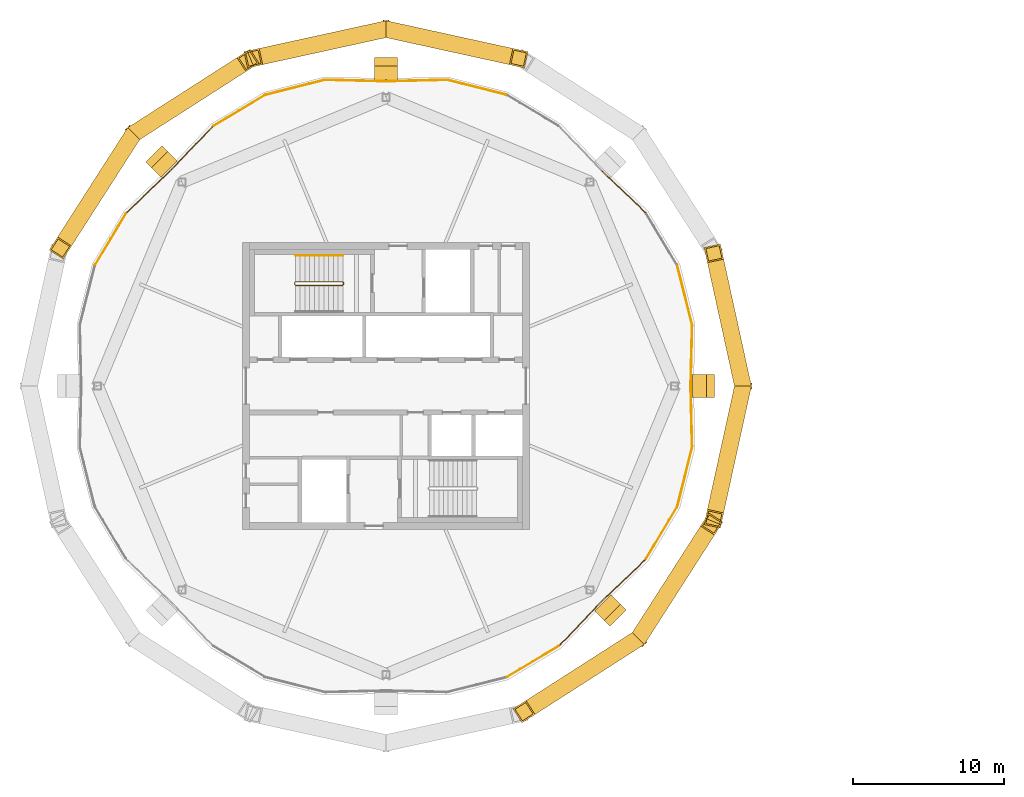
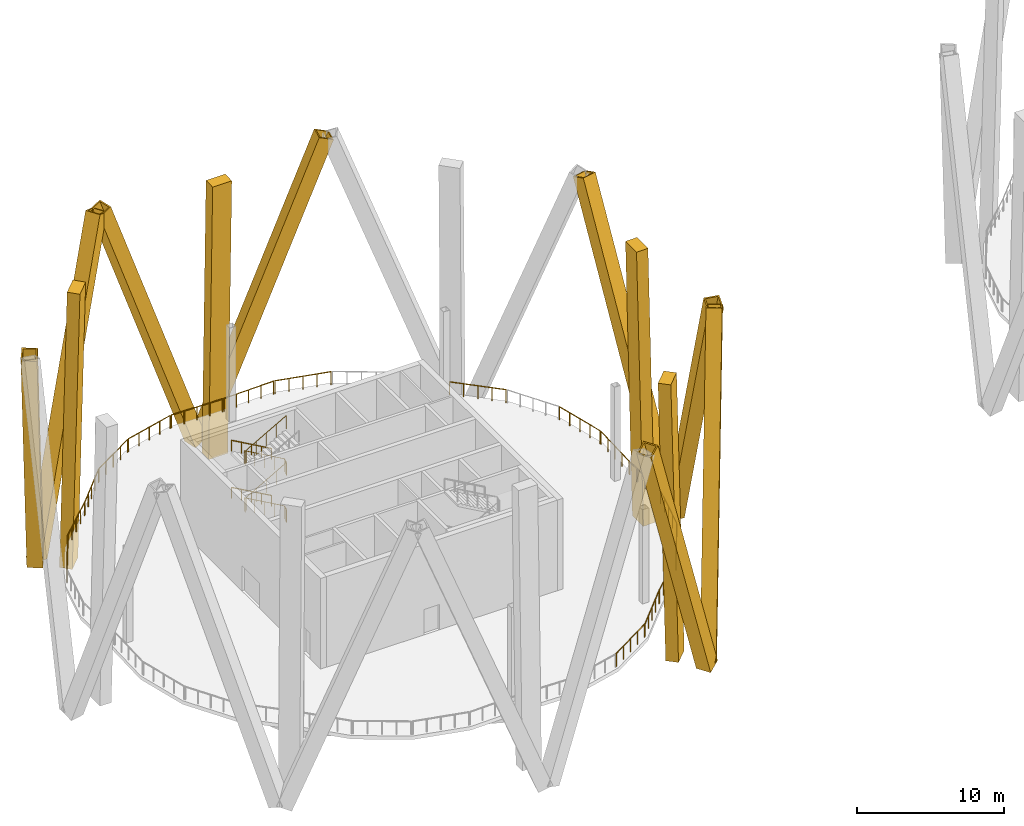
# One storey, part 10 of 13: 20 railings, 12 coverings.
"""IFC4 building model written with IfcOpenShell, lengths in metres."""

from ifc_helpers import new_model, si_unit, direction, frame, origin, origin_2d, place, context, subcontext, project, spatial, rectangle, hollow_rectangle, circle, extrude, material, material_profile, profile_set, type_object, element, save


model = new_model("IFC4")

# Units and contexts
model_context = context("Model", 3, precision=1e-05, world=origin(), true_north=direction((0.0, 1.0)))
body_context = subcontext(model_context, "Body", "Model", "MODEL_VIEW")
ifc_project = project(units=[si_unit("LENGTHUNIT", "METRE"), si_unit("AREAUNIT", "SQUARE_METRE"), si_unit("VOLUMEUNIT", "CUBIC_METRE"), si_unit("PLANEANGLEUNIT", "RADIAN"), si_unit("MASSUNIT", "GRAM", prefix="KILO")], contexts=[model_context])

# Site, building, storey
site_placement = place(None, origin())
site = spatial("IfcSite", under=ifc_project, at=site_placement, CompositionType="ELEMENT")
building_placement = place(site_placement, origin())
building = spatial("IfcBuilding", under=site, at=building_placement, Name="Ogive Gate Towers", CompositionType="ELEMENT")
storey_placement = place(building_placement, frame((0.0, 0.0, 221.10009765625)))
storey = spatial("IfcBuildingStorey", under=building, at=storey_placement, Name="L53", CompositionType="ELEMENT", Elevation=221.10009765625)

# Coverings
ifc_material_1 = material(Name="Pale metal aluminium", Category="aluminium")
ifc_material_profile_1 = material_profile(ifc_material_1, rectangle(XDim=1.5, YDim=0.89990234375, at=origin_2d()), Name="1500 x 900 pale metal aluminium")
ifc_profile_set_1 = profile_set([ifc_material_profile_1], Name="Pale metal aluminium")
covering_type_1 = type_object("IfcCoveringType", Name="Crease colonnette 1500 x 900", PredefinedType="CLADDING", material=ifc_profile_set_1)
for number, where, z_axis, x_axis, name in (
    (1, (-14.699951171875, 0.0, -4.10009765625), (-0.023576037518, 0.0, 0.999722046598), (0.0, -1.0, 0.0), "Crease colonnette"),
    (2, (-36.0, 21.300048828125, -4.10009765625), (0.0, -0.023576037518, 0.999722046598), (1.0, 0.0, 0.0), "Crease colonnette"),
    (3, (-51.061279296875, 15.061279296875, -4.10009765625), (0.016658843266, -0.016658843266, 0.999722444423), (0.707106781187, 0.707106781187, 0.0), "Crease colonnette"),
    (4, (-20.938720703125, -15.061279296875, -4.10009765625), (-0.016658843266, 0.016658843266, 0.999722444423), (-0.707106781187, -0.707106781187, 0.0), "Crease colonnette"),
):
    element("IfcCovering", number, at=place(storey_placement, frame(where, z_axis=z_axis, x_axis=x_axis)), inside=storey, type_object=covering_type_1, Name=name, PredefinedType="CLADDING", context=body_context, shape_type="SweptSolid", body=[
        extrude(rectangle(XDim=1.5, YDim=0.89990234375, at=origin_2d()), origin(), (0.0, 0.0, 1.0), 22.90625),
    ])
ifc_material_2 = material(Name="Pale metal aluminium cladding", Category="aluminium")
ifc_material_profile_2 = material_profile(ifc_material_2, hollow_rectangle(XDim=1.10009765625, YDim=1.10009765625, WallThickness=0.10009765625, at=origin_2d()), Name="1100 x 1100 pale metal casing")
ifc_profile_set_2 = profile_set([ifc_material_profile_2], Name="Pale metal aluminium cladding")
covering_type_2 = type_object("IfcCoveringType", Name="Diagrid casing 1100 x 1100", PredefinedType="CLADDING", material=ifc_profile_set_2)
for number, where, z_axis, x_axis, name in (
    (5, (-12.401611328125, -0.190185546875, -4.28564453125), (-0.075666188723, -0.345556326789, 0.935342425479), (0.976855297025, -0.21390121242, 0.0), "Diagrid casing"),
    (6, (-12.401611328125, 0.190185546875, -4.28564453125), (-0.075666188723, 0.345556326789, 0.935342425479), (-0.976855297025, -0.21390121242, 0.0), "Diagrid casing"),
    (7, (-35.809814453125, 23.598388671875, -4.28564453125), (0.345556326789, -0.075666188723, 0.935342425479), (0.21390121242, 0.976855297025, 0.0), "Diagrid casing"),
    (8, (-36.190185546875, 23.598388671875, -4.28564453125), (-0.345556326789, -0.075666188723, 0.935342425479), (0.21390121242, -0.976855297025, 0.0), "Diagrid casing"),
    (9, (-52.55224609375, 16.821044921875, -4.28564453125), (0.297856011223, 0.1908382324, 0.935340882049), (-0.539475544511, 0.842001268927, 0.0), "Diagrid casing"),
    (10, (-52.821044921875, 16.55224609375, -4.28564453125), (-0.1908382324, -0.297856011223, 0.935340882049), (0.842001268927, -0.539475544511, 0.0), "Diagrid casing"),
    (11, (-19.44775390625, -16.821044921875, -4.28564453125), (-0.297856011223, -0.1908382324, 0.935340882049), (0.539475544511, -0.842001268927, 0.0), "Diagrid casing"),
    (12, (-19.178955078125, -16.55224609375, -4.28564453125), (0.1908382324, 0.297856011223, 0.935340882049), (-0.842001268927, 0.539475544511, 0.0), "Diagrid casing"),
):
    element("IfcCovering", number, at=place(storey_placement, frame(where, z_axis=z_axis, x_axis=x_axis)), inside=storey, type_object=covering_type_2, Name=name, PredefinedType="CLADDING", context=body_context, shape_type="SweptSolid", body=[
        extrude(hollow_rectangle(XDim=1.10009765625, YDim=1.10009765625, WallThickness=0.10009765625, at=origin_2d()), origin(), (0.0, 0.0, 1.0), 24.8798828125),
    ])

# Railings
ifc_material_3 = material(Name="Stainless steel", Category="steel")
railing_type_1 = type_object("IfcRailingType", Name="Guard 1100", PredefinedType="GUARDRAIL", material=ifc_material_3)
railing_1_placement = place(storey_placement, frame((-15.81884765625, 0.050048828125, 0.0)))
element("IfcRailing", 13, at=railing_1_placement, inside=storey, type_object=railing_type_1, Name="Wind floor guard", PredefinedType="GUARDRAIL", context=body_context, shape_type="SweptSolid", body=[
    extrude(circle(Radius=0.02392578125, at=origin_2d()), frame((0.0, 0.0, 1.076171875), z_axis=(0.024276086252, 0.999705292392, 0.0), x_axis=(-0.999705292392, 0.024276086252, 0.0)), (0.0, 0.0, 1.0), 3.952392578125),
    extrude(circle(Radius=0.02099609375, at=origin_2d()), origin(), (0.0, 0.0, 1.0), 1.052001953125),
    extrude(circle(Radius=0.02099609375, at=origin_2d()), frame((0.02392578125, 0.98779296875, 0.0)), (0.0, 0.0, 1.0), 1.052001953125),
    extrude(circle(Radius=0.02099609375, at=origin_2d()), frame((0.0478515625, 1.9755859375, 0.0)), (0.0, 0.0, 1.0), 1.052001953125),
    extrude(circle(Radius=0.02099609375, at=origin_2d()), frame((0.072021484375, 2.96337890625, 0.0)), (0.0, 0.0, 1.0), 1.052001953125),
    extrude(circle(Radius=0.02099609375, at=origin_2d()), frame((0.095947265625, 3.951171875, 0.0)), (0.0, 0.0, 1.0), 1.052001953125),
])
railing_2_placement = place(storey_placement, frame((-15.73388671875, 4.099609375, 0.0)))
element("IfcRailing", 14, at=railing_2_placement, inside=storey, type_object=railing_type_1, Name="Wind floor guard", PredefinedType="GUARDRAIL", context=body_context, shape_type="SweptSolid", body=[
    extrude(circle(Radius=0.02392578125, at=origin_2d()), frame((0.0, 0.0, 1.076171875), z_axis=(-0.243710163723, 0.969848109808, 0.0), x_axis=(-0.969848109808, -0.243710163723, 0.0)), (0.0, 0.0, 1.0), 3.9609375),
    extrude(circle(Radius=0.02099609375, at=origin_2d()), origin(), (0.0, 0.0, 1.0), 1.052001953125),
    extrude(circle(Radius=0.02099609375, at=origin_2d()), frame((-0.2412109375, 0.96044921875, 0.0)), (0.0, 0.0, 1.0), 1.052001953125),
    extrude(circle(Radius=0.02099609375, at=origin_2d()), frame((-0.482666015625, 1.9208984375, 0.0)), (0.0, 0.0, 1.0), 1.052001953125),
    extrude(circle(Radius=0.02099609375, at=origin_2d()), frame((-0.72412109375, 2.881103515625, 0.0)), (0.0, 0.0, 1.0), 1.052001953125),
    extrude(circle(Radius=0.02099609375, at=origin_2d()), frame((-0.96533203125, 3.841552734375, 0.0)), (0.0, 0.0, 1.0), 1.052001953125),
])
railing_3_placement = place(storey_placement, frame((-18.832763671875, 11.5087890625, 0.0)))
element("IfcRailing", 15, at=railing_3_placement, inside=storey, type_object=railing_type_1, Name="Wind floor guard", PredefinedType="GUARDRAIL", context=body_context, shape_type="SweptSolid", body=[
    extrude(circle(Radius=0.02392578125, at=origin_2d()), frame((0.0, 0.0, 1.076171875), z_axis=(-0.724040967494, 0.689756969801, 0.0), x_axis=(-0.689756969801, -0.724040967494, 0.0)), (0.0, 0.0, 1.0), 3.9521484375),
    extrude(circle(Radius=0.02099609375, at=origin_2d()), origin(), (0.0, 0.0, 1.0), 1.052001953125),
    extrude(circle(Radius=0.02099609375, at=origin_2d()), frame((-0.71533203125, 0.681640625, 0.0)), (0.0, 0.0, 1.0), 1.052001953125),
    extrude(circle(Radius=0.02099609375, at=origin_2d()), frame((-1.4306640625, 1.363037109375, 0.0)), (0.0, 0.0, 1.0), 1.052001953125),
    extrude(circle(Radius=0.02099609375, at=origin_2d()), frame((-2.146240234375, 2.04443359375, 0.0)), (0.0, 0.0, 1.0), 1.052001953125),
    extrude(circle(Radius=0.02099609375, at=origin_2d()), frame((-2.861572265625, 2.72607421875, 0.0)), (0.0, 0.0, 1.0), 1.052001953125),
])
railing_4_placement = place(storey_placement, frame((-28.058837890625, 19.30078125, 0.0)))
element("IfcRailing", 16, at=railing_4_placement, inside=storey, type_object=railing_type_1, Name="Wind floor guard", PredefinedType="GUARDRAIL", context=body_context, shape_type="SweptSolid", body=[
    extrude(circle(Radius=0.02392578125, at=origin_2d()), frame((0.0, 0.0, 1.076171875), z_axis=(-0.969848109808, 0.243710163723, 0.0), x_axis=(-0.243710163723, -0.969848109808, 0.0)), (0.0, 0.0, 1.0), 3.9609375),
    extrude(circle(Radius=0.02099609375, at=origin_2d()), origin(), (0.0, 0.0, 1.0), 1.052001953125),
    extrude(circle(Radius=0.02099609375, at=origin_2d()), frame((-0.96044921875, 0.2412109375, 0.0)), (0.0, 0.0, 1.0), 1.052001953125),
    extrude(circle(Radius=0.02099609375, at=origin_2d()), frame((-1.9208984375, 0.482666015625, 0.0)), (0.0, 0.0, 1.0), 1.052001953125),
    extrude(circle(Radius=0.02099609375, at=origin_2d()), frame((-2.881103515625, 0.72412109375, 0.0)), (0.0, 0.0, 1.0), 1.052001953125),
    extrude(circle(Radius=0.02099609375, at=origin_2d()), frame((-3.841552734375, 0.96533203125, 0.0)), (0.0, 0.0, 1.0), 1.052001953125),
])
railing_5_placement = place(storey_placement, frame((-31.998779296875, 20.277099609375, 0.0)))
element("IfcRailing", 17, at=railing_5_placement, inside=storey, type_object=railing_type_1, Name="Wind floor guard", PredefinedType="GUARDRAIL", context=body_context, shape_type="SweptSolid", body=[
    extrude(circle(Radius=0.02392578125, at=origin_2d()), frame((0.0, 0.0, 1.076171875), z_axis=(-0.999705292392, -0.024276086252, 0.0), x_axis=(0.024276086252, -0.999705292392, 0.0)), (0.0, 0.0, 1.0), 3.952392578125),
    extrude(circle(Radius=0.02099609375, at=origin_2d()), origin(), (0.0, 0.0, 1.0), 1.052001953125),
    extrude(circle(Radius=0.02099609375, at=origin_2d()), frame((-0.98779296875, -0.02392578125, 0.0)), (0.0, 0.0, 1.0), 1.052001953125),
    extrude(circle(Radius=0.02099609375, at=origin_2d()), frame((-1.9755859375, -0.0478515625, 0.0)), (0.0, 0.0, 1.0), 1.052001953125),
    extrude(circle(Radius=0.02099609375, at=origin_2d()), frame((-2.96337890625, -0.072021484375, 0.0)), (0.0, 0.0, 1.0), 1.052001953125),
    extrude(circle(Radius=0.02099609375, at=origin_2d()), frame((-3.951171875, -0.095947265625, 0.0)), (0.0, 0.0, 1.0), 1.052001953125),
])
railing_6_placement = place(storey_placement, frame((-36.050048828125, 20.18115234375, 0.0)))
element("IfcRailing", 18, at=railing_6_placement, inside=storey, type_object=railing_type_1, Name="Wind floor guard", PredefinedType="GUARDRAIL", context=body_context, shape_type="SweptSolid", body=[
    extrude(circle(Radius=0.02392578125, at=origin_2d()), frame((0.0, 0.0, 1.076171875), z_axis=(-0.999705292392, 0.024276086252, 0.0), x_axis=(-0.024276086252, -0.999705292392, 0.0)), (0.0, 0.0, 1.0), 3.952392578125),
    extrude(circle(Radius=0.02099609375, at=origin_2d()), origin(), (0.0, 0.0, 1.0), 1.052001953125),
    extrude(circle(Radius=0.02099609375, at=origin_2d()), frame((-0.98779296875, 0.02392578125, 0.0)), (0.0, 0.0, 1.0), 1.052001953125),
    extrude(circle(Radius=0.02099609375, at=origin_2d()), frame((-1.9755859375, 0.0478515625, 0.0)), (0.0, 0.0, 1.0), 1.052001953125),
    extrude(circle(Radius=0.02099609375, at=origin_2d()), frame((-2.96337890625, 0.072021484375, 0.0)), (0.0, 0.0, 1.0), 1.052001953125),
    extrude(circle(Radius=0.02099609375, at=origin_2d()), frame((-3.951171875, 0.095947265625, 0.0)), (0.0, 0.0, 1.0), 1.052001953125),
])
railing_7_placement = place(storey_placement, frame((-40.099609375, 20.26611328125, 0.0)))
element("IfcRailing", 19, at=railing_7_placement, inside=storey, type_object=railing_type_1, Name="Wind floor guard", PredefinedType="GUARDRAIL", context=body_context, shape_type="SweptSolid", body=[
    extrude(circle(Radius=0.02392578125, at=origin_2d()), frame((0.0, 0.0, 1.076171875), z_axis=(-0.969848109808, -0.243710163723, 0.0), x_axis=(0.243710163723, -0.969848109808, 0.0)), (0.0, 0.0, 1.0), 3.9609375),
    extrude(circle(Radius=0.02099609375, at=origin_2d()), origin(), (0.0, 0.0, 1.0), 1.052001953125),
    extrude(circle(Radius=0.02099609375, at=origin_2d()), frame((-0.96044921875, -0.2412109375, 0.0)), (0.0, 0.0, 1.0), 1.052001953125),
    extrude(circle(Radius=0.02099609375, at=origin_2d()), frame((-1.9208984375, -0.482666015625, 0.0)), (0.0, 0.0, 1.0), 1.052001953125),
    extrude(circle(Radius=0.02099609375, at=origin_2d()), frame((-2.881103515625, -0.72412109375, 0.0)), (0.0, 0.0, 1.0), 1.052001953125),
    extrude(circle(Radius=0.02099609375, at=origin_2d()), frame((-3.841552734375, -0.96533203125, 0.0)), (0.0, 0.0, 1.0), 1.052001953125),
])
railing_8_placement = place(storey_placement, frame((-44.032470703125, 19.262939453125, 0.0)))
element("IfcRailing", 20, at=railing_8_placement, inside=storey, type_object=railing_type_1, Name="Wind floor guard", PredefinedType="GUARDRAIL", context=body_context, shape_type="SweptSolid", body=[
    extrude(circle(Radius=0.02392578125, at=origin_2d()), frame((0.0, 0.0, 1.076171875), z_axis=(-0.858096005426, -0.513489284672, 0.0), x_axis=(0.513489284672, -0.858096005426, 0.0)), (0.0, 0.0, 1.0), 3.9609375),
    extrude(circle(Radius=0.02099609375, at=origin_2d()), origin(), (0.0, 0.0, 1.0), 1.052001953125),
    extrude(circle(Radius=0.02099609375, at=origin_2d()), frame((-0.849609375, -0.508544921875, 0.0)), (0.0, 0.0, 1.0), 1.052001953125),
    extrude(circle(Radius=0.02099609375, at=origin_2d()), frame((-1.699462890625, -1.01708984375, 0.0)), (0.0, 0.0, 1.0), 1.052001953125),
    extrude(circle(Radius=0.02099609375, at=origin_2d()), frame((-2.54931640625, -1.525390625, 0.0)), (0.0, 0.0, 1.0), 1.052001953125),
    extrude(circle(Radius=0.02099609375, at=origin_2d()), frame((-3.39892578125, -2.033935546875, 0.0)), (0.0, 0.0, 1.0), 1.052001953125),
])
railing_9_placement = place(storey_placement, frame((-47.5087890625, 17.167236328125, 0.0)))
element("IfcRailing", 21, at=railing_9_placement, inside=storey, type_object=railing_type_1, Name="Wind floor guard", PredefinedType="GUARDRAIL", context=body_context, shape_type="SweptSolid", body=[
    extrude(circle(Radius=0.02392578125, at=origin_2d()), frame((0.0, 0.0, 1.076171875), z_axis=(-0.689756969801, -0.724040967494, 0.0), x_axis=(0.724040967494, -0.689756969801, 0.0)), (0.0, 0.0, 1.0), 3.9521484375),
    extrude(circle(Radius=0.02099609375, at=origin_2d()), origin(), (0.0, 0.0, 1.0), 1.052001953125),
    extrude(circle(Radius=0.02099609375, at=origin_2d()), frame((-0.681640625, -0.71533203125, 0.0)), (0.0, 0.0, 1.0), 1.052001953125),
    extrude(circle(Radius=0.02099609375, at=origin_2d()), frame((-1.363037109375, -1.4306640625, 0.0)), (0.0, 0.0, 1.0), 1.052001953125),
    extrude(circle(Radius=0.02099609375, at=origin_2d()), frame((-2.04443359375, -2.146240234375, 0.0)), (0.0, 0.0, 1.0), 1.052001953125),
    extrude(circle(Radius=0.02099609375, at=origin_2d()), frame((-2.72607421875, -2.861572265625, 0.0)), (0.0, 0.0, 1.0), 1.052001953125),
])
railing_10_placement = place(storey_placement, frame((-50.3056640625, 14.23486328125, 0.0)))
element("IfcRailing", 22, at=railing_10_placement, inside=storey, type_object=railing_type_1, Name="Wind floor guard", PredefinedType="GUARDRAIL", context=body_context, shape_type="SweptSolid", body=[
    extrude(circle(Radius=0.02392578125, at=origin_2d()), frame((0.0, 0.0, 1.076171875), z_axis=(-0.724040967494, -0.689756969801, 0.0), x_axis=(0.689756969801, -0.724040967494, 0.0)), (0.0, 0.0, 1.0), 3.9521484375),
    extrude(circle(Radius=0.02099609375, at=origin_2d()), origin(), (0.0, 0.0, 1.0), 1.052001953125),
    extrude(circle(Radius=0.02099609375, at=origin_2d()), frame((-0.71533203125, -0.681640625, 0.0)), (0.0, 0.0, 1.0), 1.052001953125),
    extrude(circle(Radius=0.02099609375, at=origin_2d()), frame((-1.4306640625, -1.363037109375, 0.0)), (0.0, 0.0, 1.0), 1.052001953125),
    extrude(circle(Radius=0.02099609375, at=origin_2d()), frame((-2.146240234375, -2.04443359375, 0.0)), (0.0, 0.0, 1.0), 1.052001953125),
    extrude(circle(Radius=0.02099609375, at=origin_2d()), frame((-2.861572265625, -2.72607421875, 0.0)), (0.0, 0.0, 1.0), 1.052001953125),
])
railing_11_placement = place(storey_placement, frame((-53.22900390625, 11.431396484375, 0.0)))
element("IfcRailing", 23, at=railing_11_placement, inside=storey, type_object=railing_type_1, Name="Wind floor guard", PredefinedType="GUARDRAIL", context=body_context, shape_type="SweptSolid", body=[
    extrude(circle(Radius=0.02392578125, at=origin_2d()), frame((0.0, 0.0, 1.076171875), z_axis=(-0.513489284672, -0.858096005426, 0.0), x_axis=(0.858096005426, -0.513489284672, 0.0)), (0.0, 0.0, 1.0), 3.9609375),
    extrude(circle(Radius=0.02099609375, at=origin_2d()), origin(), (0.0, 0.0, 1.0), 1.052001953125),
    extrude(circle(Radius=0.02099609375, at=origin_2d()), frame((-0.508544921875, -0.849609375, 0.0)), (0.0, 0.0, 1.0), 1.052001953125),
    extrude(circle(Radius=0.02099609375, at=origin_2d()), frame((-1.01708984375, -1.699462890625, 0.0)), (0.0, 0.0, 1.0), 1.052001953125),
    extrude(circle(Radius=0.02099609375, at=origin_2d()), frame((-1.525390625, -2.54931640625, 0.0)), (0.0, 0.0, 1.0), 1.052001953125),
    extrude(circle(Radius=0.02099609375, at=origin_2d()), frame((-2.033935546875, -3.39892578125, 0.0)), (0.0, 0.0, 1.0), 1.052001953125),
])
railing_12_placement = place(storey_placement, frame((-27.967529296875, -19.262939453125, 0.0)))
element("IfcRailing", 24, at=railing_12_placement, inside=storey, type_object=railing_type_1, Name="Wind floor guard", PredefinedType="GUARDRAIL", context=body_context, shape_type="SweptSolid", body=[
    extrude(circle(Radius=0.02392578125, at=origin_2d()), frame((0.0, 0.0, 1.076171875), z_axis=(0.858096005426, 0.513489284672, 0.0), x_axis=(-0.513489284672, 0.858096005426, 0.0)), (0.0, 0.0, 1.0), 3.9609375),
    extrude(circle(Radius=0.02099609375, at=origin_2d()), origin(), (0.0, 0.0, 1.0), 1.052001953125),
    extrude(circle(Radius=0.02099609375, at=origin_2d()), frame((0.849609375, 0.508544921875, 0.0)), (0.0, 0.0, 1.0), 1.052001953125),
    extrude(circle(Radius=0.02099609375, at=origin_2d()), frame((1.699462890625, 1.01708984375, 0.0)), (0.0, 0.0, 1.0), 1.052001953125),
    extrude(circle(Radius=0.02099609375, at=origin_2d()), frame((2.54931640625, 1.525390625, 0.0)), (0.0, 0.0, 1.0), 1.052001953125),
    extrude(circle(Radius=0.02099609375, at=origin_2d()), frame((3.39892578125, 2.033935546875, 0.0)), (0.0, 0.0, 1.0), 1.052001953125),
])
railing_13_placement = place(storey_placement, frame((-24.4912109375, -17.167236328125, 0.0)))
element("IfcRailing", 25, at=railing_13_placement, inside=storey, type_object=railing_type_1, Name="Wind floor guard", PredefinedType="GUARDRAIL", context=body_context, shape_type="SweptSolid", body=[
    extrude(circle(Radius=0.02392578125, at=origin_2d()), frame((0.0, 0.0, 1.076171875), z_axis=(0.689756969801, 0.724040967494, 0.0), x_axis=(-0.724040967494, 0.689756969801, 0.0)), (0.0, 0.0, 1.0), 3.9521484375),
    extrude(circle(Radius=0.02099609375, at=origin_2d()), origin(), (0.0, 0.0, 1.0), 1.052001953125),
    extrude(circle(Radius=0.02099609375, at=origin_2d()), frame((0.681640625, 0.71533203125, 0.0)), (0.0, 0.0, 1.0), 1.052001953125),
    extrude(circle(Radius=0.02099609375, at=origin_2d()), frame((1.363037109375, 1.4306640625, 0.0)), (0.0, 0.0, 1.0), 1.052001953125),
    extrude(circle(Radius=0.02099609375, at=origin_2d()), frame((2.04443359375, 2.146240234375, 0.0)), (0.0, 0.0, 1.0), 1.052001953125),
    extrude(circle(Radius=0.02099609375, at=origin_2d()), frame((2.72607421875, 2.861572265625, 0.0)), (0.0, 0.0, 1.0), 1.052001953125),
])
railing_14_placement = place(storey_placement, frame((-21.6943359375, -14.23486328125, 0.0)))
element("IfcRailing", 26, at=railing_14_placement, inside=storey, type_object=railing_type_1, Name="Wind floor guard", PredefinedType="GUARDRAIL", context=body_context, shape_type="SweptSolid", body=[
    extrude(circle(Radius=0.02392578125, at=origin_2d()), frame((0.0, 0.0, 1.076171875), z_axis=(0.724040967494, 0.689756969801, 0.0), x_axis=(-0.689756969801, 0.724040967494, 0.0)), (0.0, 0.0, 1.0), 3.9521484375),
    extrude(circle(Radius=0.02099609375, at=origin_2d()), origin(), (0.0, 0.0, 1.0), 1.052001953125),
    extrude(circle(Radius=0.02099609375, at=origin_2d()), frame((0.71533203125, 0.681640625, 0.0)), (0.0, 0.0, 1.0), 1.052001953125),
    extrude(circle(Radius=0.02099609375, at=origin_2d()), frame((1.4306640625, 1.363037109375, 0.0)), (0.0, 0.0, 1.0), 1.052001953125),
    extrude(circle(Radius=0.02099609375, at=origin_2d()), frame((2.146240234375, 2.04443359375, 0.0)), (0.0, 0.0, 1.0), 1.052001953125),
    extrude(circle(Radius=0.02099609375, at=origin_2d()), frame((2.861572265625, 2.72607421875, 0.0)), (0.0, 0.0, 1.0), 1.052001953125),
])
railing_15_placement = place(storey_placement, frame((-18.77099609375, -11.431396484375, 0.0)))
element("IfcRailing", 27, at=railing_15_placement, inside=storey, type_object=railing_type_1, Name="Wind floor guard", PredefinedType="GUARDRAIL", context=body_context, shape_type="SweptSolid", body=[
    extrude(circle(Radius=0.02392578125, at=origin_2d()), frame((0.0, 0.0, 1.076171875), z_axis=(0.513489284672, 0.858096005426, 0.0), x_axis=(-0.858096005426, 0.513489284672, 0.0)), (0.0, 0.0, 1.0), 3.9609375),
    extrude(circle(Radius=0.02099609375, at=origin_2d()), origin(), (0.0, 0.0, 1.0), 1.052001953125),
    extrude(circle(Radius=0.02099609375, at=origin_2d()), frame((0.508544921875, 0.849609375, 0.0)), (0.0, 0.0, 1.0), 1.052001953125),
    extrude(circle(Radius=0.02099609375, at=origin_2d()), frame((1.01708984375, 1.699462890625, 0.0)), (0.0, 0.0, 1.0), 1.052001953125),
    extrude(circle(Radius=0.02099609375, at=origin_2d()), frame((1.525390625, 2.54931640625, 0.0)), (0.0, 0.0, 1.0), 1.052001953125),
    extrude(circle(Radius=0.02099609375, at=origin_2d()), frame((2.033935546875, 3.39892578125, 0.0)), (0.0, 0.0, 1.0), 1.052001953125),
])
railing_16_placement = place(storey_placement, frame((-16.69921875, -7.941162109375, 0.0)))
element("IfcRailing", 28, at=railing_16_placement, inside=storey, type_object=railing_type_1, Name="Wind floor guard", PredefinedType="GUARDRAIL", context=body_context, shape_type="SweptSolid", body=[
    extrude(circle(Radius=0.02392578125, at=origin_2d()), frame((0.0, 0.0, 1.076171875), z_axis=(0.243710163723, 0.969848109808, 0.0), x_axis=(-0.969848109808, 0.243710163723, 0.0)), (0.0, 0.0, 1.0), 3.9609375),
    extrude(circle(Radius=0.02099609375, at=origin_2d()), origin(), (0.0, 0.0, 1.0), 1.052001953125),
    extrude(circle(Radius=0.02099609375, at=origin_2d()), frame((0.2412109375, 0.96044921875, 0.0)), (0.0, 0.0, 1.0), 1.052001953125),
    extrude(circle(Radius=0.02099609375, at=origin_2d()), frame((0.482666015625, 1.9208984375, 0.0)), (0.0, 0.0, 1.0), 1.052001953125),
    extrude(circle(Radius=0.02099609375, at=origin_2d()), frame((0.72412109375, 2.881103515625, 0.0)), (0.0, 0.0, 1.0), 1.052001953125),
    extrude(circle(Radius=0.02099609375, at=origin_2d()), frame((0.96533203125, 3.841552734375, 0.0)), (0.0, 0.0, 1.0), 1.052001953125),
])
railing_17_placement = place(storey_placement, frame((-15.722900390625, -4.001220703125, 0.0)))
element("IfcRailing", 29, at=railing_17_placement, inside=storey, type_object=railing_type_1, Name="Wind floor guard", PredefinedType="GUARDRAIL", context=body_context, shape_type="SweptSolid", body=[
    extrude(circle(Radius=0.02392578125, at=origin_2d()), frame((0.0, 0.0, 1.076171875), z_axis=(-0.024276086252, 0.999705292392, 0.0), x_axis=(-0.999705292392, -0.024276086252, 0.0)), (0.0, 0.0, 1.0), 3.952392578125),
    extrude(circle(Radius=0.02099609375, at=origin_2d()), origin(), (0.0, 0.0, 1.0), 1.052001953125),
    extrude(circle(Radius=0.02099609375, at=origin_2d()), frame((-0.02392578125, 0.98779296875, 0.0)), (0.0, 0.0, 1.0), 1.052001953125),
    extrude(circle(Radius=0.02099609375, at=origin_2d()), frame((-0.0478515625, 1.9755859375, 0.0)), (0.0, 0.0, 1.0), 1.052001953125),
    extrude(circle(Radius=0.02099609375, at=origin_2d()), frame((-0.072021484375, 2.96337890625, 0.0)), (0.0, 0.0, 1.0), 1.052001953125),
    extrude(circle(Radius=0.02099609375, at=origin_2d()), frame((-0.095947265625, 3.951171875, 0.0)), (0.0, 0.0, 1.0), 1.052001953125),
])
railing_type_2 = type_object("IfcRailingType", Name="Stair guard 1100", PredefinedType="GUARDRAIL", material=ifc_material_3)
railing_18_placement = place(storey_placement, frame((-38.81494140625, 6.860107421875, 0.0)))
element("IfcRailing", 30, at=railing_18_placement, inside=storey, type_object=railing_type_2, Name="L53 ST1 stair guard 1", PredefinedType="GUARDRAIL", context=body_context, shape_type="SweptSolid", body=[
    extrude(circle(Radius=0.02392578125, at=origin_2d()), frame((0.0, 0.0, 1.076171875), z_axis=(0.0, -1.0, 0.0), x_axis=(1.0, 0.0, 0.0)), (0.0, 0.0, 1.0), 0.14501953125),
    extrude(circle(Radius=0.02392578125, at=origin_2d()), frame((0.0, -0.14501953125, 1.076171875), z_axis=(-0.186679794065, 0.726685247142, 0.661119660934), x_axis=(-0.968551454522, -0.24881334358, 0.0)), (0.0, 0.0, 1.0), 0.26806640625),
    extrude(circle(Radius=0.02392578125, at=origin_2d()), frame((-0.050048828125, 0.0498046875, 1.25341796875), z_axis=(-0.870572935281, 0.0, 0.492039393094), x_axis=(0.0, -1.0, 0.0)), (0.0, 0.0, 1.0), 3.602783203125),
    extrude(circle(Radius=0.02392578125, at=origin_2d()), frame((-3.1865234375, 0.0498046875, 3.02587890625), z_axis=(-0.707106781187, -0.707106781187, 0.0), x_axis=(0.707106781187, -0.707106781187, 0.0)), (0.0, 0.0, 1.0), 0.0703125),
    extrude(circle(Radius=0.02392578125, at=origin_2d()), frame((-3.236328125, 0.0, 3.02587890625), z_axis=(0.0, -1.0, 0.0), x_axis=(1.0, 0.0, 0.0)), (0.0, 0.0, 1.0), 0.14501953125),
    extrude(circle(Radius=0.02392578125, at=origin_2d()), frame((-3.236328125, -0.14501953125, 3.02587890625), z_axis=(0.261041864531, -0.262321481514, 0.929001929653), x_axis=(0.708833529934, 0.705375805398, 0.0)), (0.0, 0.0, 1.0), 0.190673828125),
    extrude(circle(Radius=0.02392578125, at=origin_2d()), frame((-3.1865234375, -0.195068359375, 3.203125), z_axis=(0.870572935281, 0.0, 0.492039393094), x_axis=(0.0, 1.0, 0.0)), (0.0, 0.0, 1.0), 3.602783203125),
    extrude(circle(Radius=0.02392578125, at=origin_2d()), frame((-0.050048828125, -0.195068359375, 4.97607421875), z_axis=(0.248521182245, 0.96862646153, 0.0), x_axis=(-0.96862646153, 0.248521182245, 0.0)), (0.0, 0.0, 1.0), 0.201416015625),
    extrude(circle(Radius=0.02392578125, at=origin_2d()), frame((0.0, 0.0, 4.97607421875), z_axis=(0.0, -1.0, 0.0), x_axis=(1.0, 0.0, 0.0)), (0.0, 0.0, 1.0), 0.14501953125),
    extrude(circle(Radius=0.02392578125, at=origin_2d()), frame((0.0, -0.14501953125, 4.97607421875), z_axis=(-0.186679794065, 0.726685247142, 0.661119660934), x_axis=(-0.968551454522, -0.24881334358, 0.0)), (0.0, 0.0, 1.0), 0.26806640625),
    extrude(circle(Radius=0.02392578125, at=origin_2d()), frame((-0.050048828125, 0.0498046875, 5.1533203125), z_axis=(-0.870572935281, 0.0, 0.492039393094), x_axis=(0.0, -1.0, 0.0)), (0.0, 0.0, 1.0), 3.602783203125),
    extrude(circle(Radius=0.02392578125, at=origin_2d()), frame((-3.1865234375, 0.0498046875, 6.92578125), z_axis=(-0.707106781187, -0.707106781187, 0.0), x_axis=(0.707106781187, -0.707106781187, 0.0)), (0.0, 0.0, 1.0), 0.0703125),
    extrude(circle(Radius=0.02392578125, at=origin_2d()), frame((-3.236328125, 0.0, 6.92578125), z_axis=(0.0, -1.0, 0.0), x_axis=(1.0, 0.0, 0.0)), (0.0, 0.0, 1.0), 0.14501953125),
    extrude(circle(Radius=0.02392578125, at=origin_2d()), frame((-3.236328125, -0.14501953125, 6.92578125), z_axis=(0.261041864531, -0.262321481514, 0.929001929653), x_axis=(0.708833529934, 0.705375805398, 0.0)), (0.0, 0.0, 1.0), 0.190673828125),
    extrude(circle(Radius=0.02392578125, at=origin_2d()), frame((-3.1865234375, -0.195068359375, 7.10302734375), z_axis=(0.870572935281, 0.0, 0.492039393094), x_axis=(0.0, 1.0, 0.0)), (0.0, 0.0, 1.0), 3.602783203125),
    extrude(circle(Radius=0.02099609375, at=origin_2d()), origin(), (0.0, 0.0, 1.0), 1.052001953125),
    extrude(circle(Radius=0.02099609375, at=origin_2d()), frame((0.0, -0.14501953125, 0.0)), (0.0, 0.0, 1.0), 1.052001953125),
    extrude(circle(Radius=0.02099609375, at=origin_2d()), frame((-0.050048828125, 0.0498046875, 0.17724609375)), (0.0, 0.0, 1.0), 1.052001953125),
    extrude(circle(Radius=0.02099609375, at=origin_2d()), frame((-0.834228515625, 0.0498046875, 0.620361328125)), (0.0, 0.0, 1.0), 1.052001953125),
    extrude(circle(Radius=0.02099609375, at=origin_2d()), frame((-1.6181640625, 0.0498046875, 1.0634765625)), (0.0, 0.0, 1.0), 1.052001953125),
    extrude(circle(Radius=0.02099609375, at=origin_2d()), frame((-2.40234375, 0.0498046875, 1.5068359375)), (0.0, 0.0, 1.0), 1.052001953125),
    extrude(circle(Radius=0.02099609375, at=origin_2d()), frame((-3.1865234375, 0.0498046875, 1.949951171875)), (0.0, 0.0, 1.0), 1.052001953125),
    extrude(circle(Radius=0.02099609375, at=origin_2d()), frame((-3.236328125, 0.0, 1.949951171875)), (0.0, 0.0, 1.0), 1.052001953125),
    extrude(circle(Radius=0.02099609375, at=origin_2d()), frame((-3.236328125, -0.14501953125, 1.949951171875)), (0.0, 0.0, 1.0), 1.052001953125),
    extrude(circle(Radius=0.02099609375, at=origin_2d()), frame((-3.1865234375, -0.195068359375, 2.127197265625)), (0.0, 0.0, 1.0), 1.052001953125),
    extrude(circle(Radius=0.02099609375, at=origin_2d()), frame((-2.40234375, -0.195068359375, 2.5703125)), (0.0, 0.0, 1.0), 1.052001953125),
    extrude(circle(Radius=0.02099609375, at=origin_2d()), frame((-1.6181640625, -0.195068359375, 3.013671875)), (0.0, 0.0, 1.0), 1.052001953125),
    extrude(circle(Radius=0.02099609375, at=origin_2d()), frame((-0.834228515625, -0.195068359375, 3.456787109375)), (0.0, 0.0, 1.0), 1.052001953125),
    extrude(circle(Radius=0.02099609375, at=origin_2d()), frame((-0.050048828125, -0.195068359375, 3.89990234375)), (0.0, 0.0, 1.0), 1.052001953125),
    extrude(circle(Radius=0.02099609375, at=origin_2d()), frame((0.0, 0.0, 3.89990234375)), (0.0, 0.0, 1.0), 1.052001953125),
    extrude(circle(Radius=0.02099609375, at=origin_2d()), frame((0.0, -0.14501953125, 3.89990234375)), (0.0, 0.0, 1.0), 1.052001953125),
    extrude(circle(Radius=0.02099609375, at=origin_2d()), frame((-0.050048828125, 0.0498046875, 4.0771484375)), (0.0, 0.0, 1.0), 1.052001953125),
    extrude(circle(Radius=0.02099609375, at=origin_2d()), frame((-0.834228515625, 0.0498046875, 4.520263671875)), (0.0, 0.0, 1.0), 1.052001953125),
    extrude(circle(Radius=0.02099609375, at=origin_2d()), frame((-1.6181640625, 0.0498046875, 4.96337890625)), (0.0, 0.0, 1.0), 1.052001953125),
    extrude(circle(Radius=0.02099609375, at=origin_2d()), frame((-2.40234375, 0.0498046875, 5.40673828125)), (0.0, 0.0, 1.0), 1.052001953125),
    extrude(circle(Radius=0.02099609375, at=origin_2d()), frame((-3.1865234375, 0.0498046875, 5.849853515625)), (0.0, 0.0, 1.0), 1.052001953125),
    extrude(circle(Radius=0.02099609375, at=origin_2d()), frame((-3.236328125, 0.0, 5.849853515625)), (0.0, 0.0, 1.0), 1.052001953125),
    extrude(circle(Radius=0.02099609375, at=origin_2d()), frame((-3.236328125, -0.14501953125, 5.849853515625)), (0.0, 0.0, 1.0), 1.052001953125),
    extrude(circle(Radius=0.02099609375, at=origin_2d()), frame((-3.1865234375, -0.195068359375, 6.027099609375)), (0.0, 0.0, 1.0), 1.052001953125),
    extrude(circle(Radius=0.02099609375, at=origin_2d()), frame((-2.40234375, -0.195068359375, 6.47021484375)), (0.0, 0.0, 1.0), 1.052001953125),
    extrude(circle(Radius=0.02099609375, at=origin_2d()), frame((-1.6181640625, -0.195068359375, 6.91357421875)), (0.0, 0.0, 1.0), 1.052001953125),
    extrude(circle(Radius=0.02099609375, at=origin_2d()), frame((-0.834228515625, -0.195068359375, 7.356689453125)), (0.0, 0.0, 1.0), 1.052001953125),
    extrude(circle(Radius=0.02099609375, at=origin_2d()), frame((-0.050048828125, -0.195068359375, 7.7998046875)), (0.0, 0.0, 1.0), 1.052001953125),
])
railing_type_3 = type_object("IfcRailingType", Name="Stair handrail 900", PredefinedType="HANDRAIL", material=ifc_material_3)
for number, where, name in (
    (31, (-38.864990234375, 8.64990234375, 0.17724609375), "L53 ST1 stair handrail 1"),
    (32, (-38.864990234375, 8.64990234375, 4.0771484375), "L53 ST1 stair handrail 3"),
):
    element("IfcRailing", number, at=place(storey_placement, frame(where)), inside=storey, type_object=railing_type_3, Name=name, PredefinedType="HANDRAIL", context=body_context, shape_type="SweptSolid", body=[
        extrude(circle(Radius=0.02392578125, at=origin_2d()), frame((0.0, 0.0, 0.8759765625), z_axis=(-0.870572935281, 0.0, 0.492039393094), x_axis=(0.0, -1.0, 0.0)), (0.0, 0.0, 1.0), 3.602783203125),
        extrude(circle(Radius=0.02099609375, at=origin_2d()), origin(), (0.0, 0.0, 1.0), 0.851806640625),
        extrude(circle(Radius=0.02099609375, at=origin_2d()), frame((-0.7841796875, 0.0, 0.443115234375)), (0.0, 0.0, 1.0), 0.851806640625),
        extrude(circle(Radius=0.02099609375, at=origin_2d()), frame((-1.568359375, 0.0, 0.88623046875)), (0.0, 0.0, 1.0), 0.851806640625),
        extrude(circle(Radius=0.02099609375, at=origin_2d()), frame((-2.352294921875, 0.0, 1.32958984375)), (0.0, 0.0, 1.0), 0.851806640625),
        extrude(circle(Radius=0.02099609375, at=origin_2d()), frame((-3.136474609375, 0.0, 1.772705078125)), (0.0, 0.0, 1.0), 0.851806640625),
    ])

save(model, "model.ifc")
